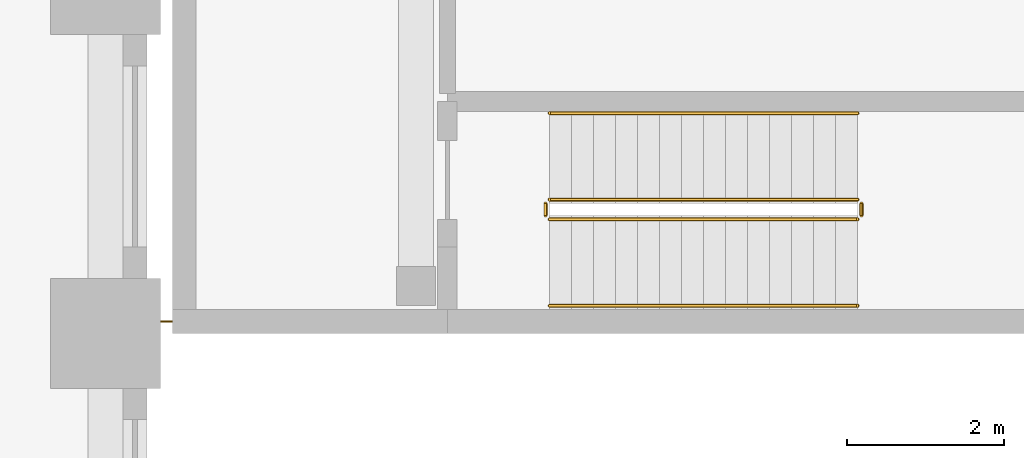
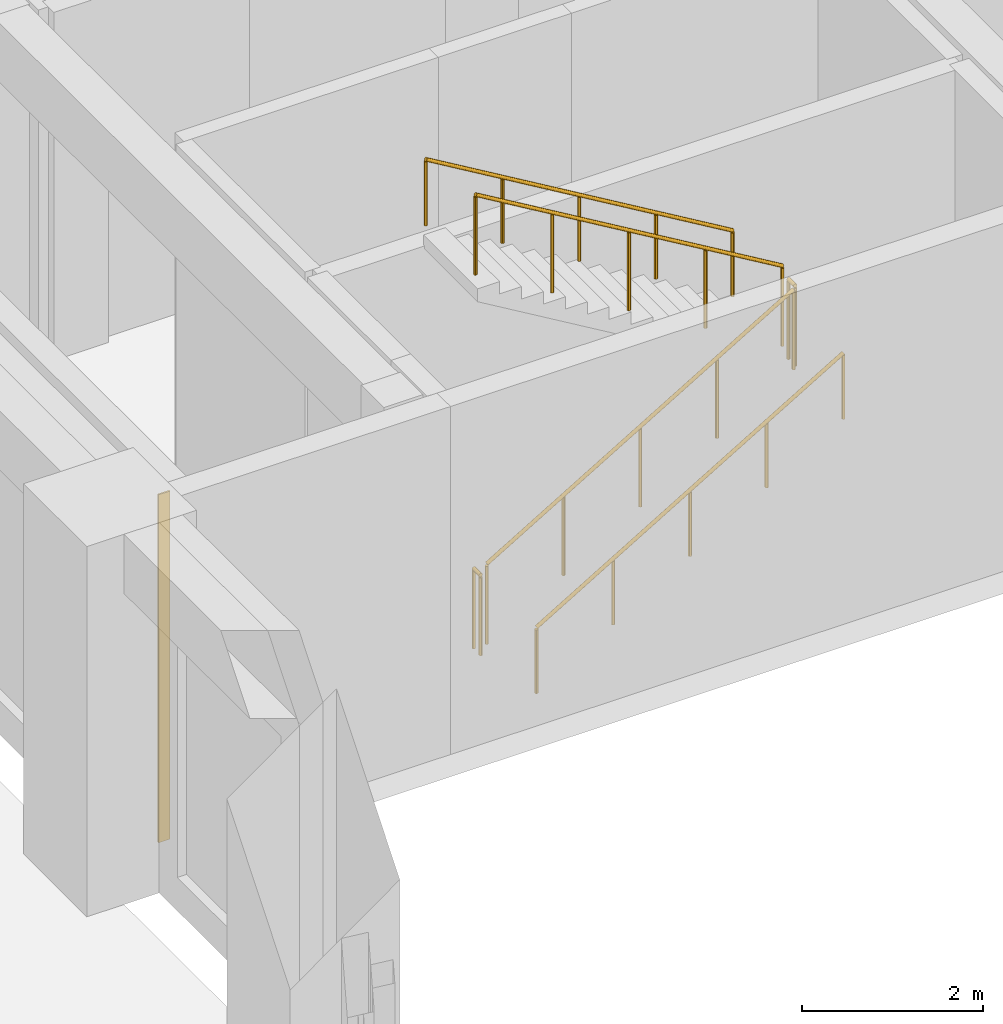
# One storey, part 19 of 24: 6 railings, 1 covering.
"""IFC4 building model written with IfcOpenShell, lengths in metres."""

from ifc_helpers import new_model, si_unit, direction, frame, origin, origin_2d, place, context, subcontext, project, spatial, rectangle, circle, extrude, material, layer, layer_set, type_object, element, save


model = new_model("IFC4")

# Units and contexts
model_context = context("Model", 3, precision=1e-05, world=origin(), true_north=direction((0.0, 1.0)))
body_context = subcontext(model_context, "Body", "Model", "MODEL_VIEW")
ifc_project = project(units=[si_unit("LENGTHUNIT", "METRE"), si_unit("AREAUNIT", "SQUARE_METRE"), si_unit("VOLUMEUNIT", "CUBIC_METRE"), si_unit("PLANEANGLEUNIT", "RADIAN"), si_unit("MASSUNIT", "GRAM", prefix="KILO")], contexts=[model_context])

# Site, building, storey
site_placement = place(None, origin())
site = spatial("IfcSite", under=ifc_project, at=site_placement, CompositionType="ELEMENT")
building_placement = place(site_placement, origin())
building = spatial("IfcBuilding", under=site, at=building_placement, Name="Girih Gate Residences", CompositionType="ELEMENT")
storey_placement = place(building_placement, frame((0.0, 0.0, 16.0)))
storey = spatial("IfcBuildingStorey", under=building, at=storey_placement, Name="L03", CompositionType="ELEMENT", Elevation=16.0)

# Railings
ifc_material_1 = material(Name="Stainless steel railing", Category="steel")
railing_type_1 = type_object("IfcRailingType", Name="HC Guard 1100", PredefinedType="GUARDRAIL", material=ifc_material_1)
railing_1_placement = place(storey_placement, frame((55.14990234375, 10.449951171875, 0.166748046875)))
element("IfcRailing", 1, at=railing_1_placement, inside=storey, type_object=railing_type_1, Name="L03 HC-STA stair guard 1", PredefinedType="GUARDRAIL", context=body_context, shape_type="SweptSolid", body=[
    extrude(circle(Radius=0.02392578125, at=origin_2d()), frame((0.0, 0.0, 1.076171875), z_axis=(0.859310244771, 0.0, 0.511454693235), x_axis=(0.0, 1.0, 0.0)), (0.0, 0.0, 1.0), 4.56201171875),
    extrude(circle(Radius=0.02099609375, at=origin_2d()), origin(), (0.0, 0.0, 1.0), 1.052001953125),
    extrude(circle(Radius=0.02099609375, at=origin_2d()), frame((0.97998046875, 0.0, 0.583251953125)), (0.0, 0.0, 1.0), 1.052001953125),
    extrude(circle(Radius=0.02099609375, at=origin_2d()), frame((1.9599609375, 0.0, 1.16650390625)), (0.0, 0.0, 1.0), 1.052001953125),
    extrude(circle(Radius=0.02099609375, at=origin_2d()), frame((2.940185546875, 0.0, 1.75)), (0.0, 0.0, 1.0), 1.052001953125),
    extrude(circle(Radius=0.02099609375, at=origin_2d()), frame((3.920166015625, 0.0, 2.333251953125)), (0.0, 0.0, 1.0), 1.052001953125),
])
railing_2_placement = place(storey_placement, frame((59.1201171875, 10.5, 2.5)))
element("IfcRailing", 2, at=railing_2_placement, inside=storey, type_object=railing_type_1, Name="L03 HC-STA stair guard 2", PredefinedType="GUARDRAIL", context=body_context, shape_type="SweptSolid", body=[
    extrude(circle(Radius=0.02392578125, at=origin_2d()), frame((0.0, 0.0, 1.076171875), z_axis=(0.0, 1.0, 0.0), x_axis=(-1.0, 0.0, 0.0)), (0.0, 0.0, 1.0), 0.14990234375),
    extrude(circle(Radius=0.02099609375, at=origin_2d()), origin(), (0.0, 0.0, 1.0), 1.052001953125),
    extrude(circle(Radius=0.02099609375, at=origin_2d()), frame((0.0, 0.14990234375, 0.0)), (0.0, 0.0, 1.0), 1.052001953125),
])
railing_3_placement = place(storey_placement, frame((59.070068359375, 10.699951171875, 2.666748046875)))
element("IfcRailing", 3, at=railing_3_placement, inside=storey, type_object=railing_type_1, Name="L03 HC-STA stair guard 3", PredefinedType="GUARDRAIL", context=body_context, shape_type="SweptSolid", body=[
    extrude(circle(Radius=0.02392578125, at=origin_2d()), frame((0.0, 0.0, 1.076171875), z_axis=(-0.859310244771, 0.0, 0.511454693235), x_axis=(0.0, -1.0, 0.0)), (0.0, 0.0, 1.0), 4.56201171875),
    extrude(circle(Radius=0.02099609375, at=origin_2d()), origin(), (0.0, 0.0, 1.0), 1.052001953125),
    extrude(circle(Radius=0.02099609375, at=origin_2d()), frame((-0.97998046875, 0.0, 0.583251953125)), (0.0, 0.0, 1.0), 1.052001953125),
    extrude(circle(Radius=0.02099609375, at=origin_2d()), frame((-1.9599609375, 0.0, 1.16650390625)), (0.0, 0.0, 1.0), 1.052001953125),
    extrude(circle(Radius=0.02099609375, at=origin_2d()), frame((-2.940185546875, 0.0, 1.75)), (0.0, 0.0, 1.0), 1.052001953125),
    extrude(circle(Radius=0.02099609375, at=origin_2d()), frame((-3.920166015625, 0.0, 2.333251953125)), (0.0, 0.0, 1.0), 1.052001953125),
])
railing_4_placement = place(storey_placement, frame((55.10009765625, 10.5, 0.0)))
element("IfcRailing", 4, at=railing_4_placement, inside=storey, type_object=railing_type_1, Name="L03 HC-STA stair guard 4", PredefinedType="GUARDRAIL", context=body_context, shape_type="SweptSolid", body=[
    extrude(circle(Radius=0.02392578125, at=origin_2d()), frame((0.0, 0.0, 1.076171875), z_axis=(0.0, 1.0, 0.0), x_axis=(-1.0, 0.0, 0.0)), (0.0, 0.0, 1.0), 0.14990234375),
    extrude(circle(Radius=0.02099609375, at=origin_2d()), origin(), (0.0, 0.0, 1.0), 1.052001953125),
    extrude(circle(Radius=0.02099609375, at=origin_2d()), frame((0.0, 0.14990234375, 0.0)), (0.0, 0.0, 1.0), 1.052001953125),
])
railing_type_2 = type_object("IfcRailingType", Name="HC Handrail 900", PredefinedType="HANDRAIL", material=ifc_material_1)
railing_5_placement = place(storey_placement, frame((55.14990234375, 9.35009765625, 0.166748046875)))
element("IfcRailing", 5, at=railing_5_placement, inside=storey, type_object=railing_type_2, Name="L03 HC-STA stair handrail 1", PredefinedType="HANDRAIL", context=body_context, shape_type="SweptSolid", body=[
    extrude(circle(Radius=0.02392578125, at=origin_2d()), frame((0.0, 0.0, 0.8857421875), z_axis=(0.859310244771, 0.0, 0.511454693235), x_axis=(0.0, 1.0, 0.0)), (0.0, 0.0, 1.0), 4.56201171875),
    extrude(circle(Radius=0.02099609375, at=origin_2d()), origin(), (0.0, 0.0, 1.0), 0.86181640625),
    extrude(circle(Radius=0.02099609375, at=origin_2d()), frame((0.97998046875, 0.0, 0.583251953125)), (0.0, 0.0, 1.0), 0.86181640625),
    extrude(circle(Radius=0.02099609375, at=origin_2d()), frame((1.9599609375, 0.0, 1.16650390625)), (0.0, 0.0, 1.0), 0.86181640625),
    extrude(circle(Radius=0.02099609375, at=origin_2d()), frame((2.940185546875, 0.0, 1.75)), (0.0, 0.0, 1.0), 0.86181640625),
    extrude(circle(Radius=0.02099609375, at=origin_2d()), frame((3.920166015625, 0.0, 2.333251953125)), (0.0, 0.0, 1.0), 0.86181640625),
])
railing_6_placement = place(storey_placement, frame((59.070068359375, 11.800048828125, 2.666748046875)))
element("IfcRailing", 6, at=railing_6_placement, inside=storey, type_object=railing_type_2, Name="L03 HC-STA stair handrail 2", PredefinedType="HANDRAIL", context=body_context, shape_type="SweptSolid", body=[
    extrude(circle(Radius=0.02392578125, at=origin_2d()), frame((0.0, 0.0, 0.8857421875), z_axis=(-0.859310244771, 0.0, 0.511454693235), x_axis=(0.0, -1.0, 0.0)), (0.0, 0.0, 1.0), 4.56201171875),
    extrude(circle(Radius=0.02099609375, at=origin_2d()), origin(), (0.0, 0.0, 1.0), 0.86181640625),
    extrude(circle(Radius=0.02099609375, at=origin_2d()), frame((-0.97998046875, 0.0, 0.583251953125)), (0.0, 0.0, 1.0), 0.86181640625),
    extrude(circle(Radius=0.02099609375, at=origin_2d()), frame((-1.9599609375, 0.0, 1.16650390625)), (0.0, 0.0, 1.0), 0.86181640625),
    extrude(circle(Radius=0.02099609375, at=origin_2d()), frame((-2.940185546875, 0.0, 1.75)), (0.0, 0.0, 1.0), 0.86181640625),
    extrude(circle(Radius=0.02099609375, at=origin_2d()), frame((-3.920166015625, 0.0, 2.333251953125)), (0.0, 0.0, 1.0), 0.86181640625),
])

# Covering
ifc_material_2 = material(Name="Stainless steel cover plate", Category="steel")
ifc_layer = layer(ifc_material_2, 0.02001953125)
ifc_layer_set = layer_set([ifc_layer], Name="HC Movement joint cover plate")
covering_type = type_object("IfcCoveringType", Name="HC Movement joint cover plate", PredefinedType="CLADDING", material=ifc_layer_set)
covering_placement = place(storey_placement, frame((50.27490234375, 9.14990234375, 0.0), z_axis=(0.0, 0.0, 1.0), x_axis=(1.0, 0.0, 0.0)))
element("IfcCovering", 7, at=covering_placement, inside=storey, type_object=covering_type, Name="L03 joint between tower and health centre cover plate 1", PredefinedType="CLADDING", context=body_context, shape_type="SweptSolid", body=[
    extrude(rectangle(XDim=0.14990234375, YDim=0.02001953125, at=origin_2d()), origin(), (0.0, 0.0, 1.0), 4.699951171875),
])

save(model, "model.ifc")
